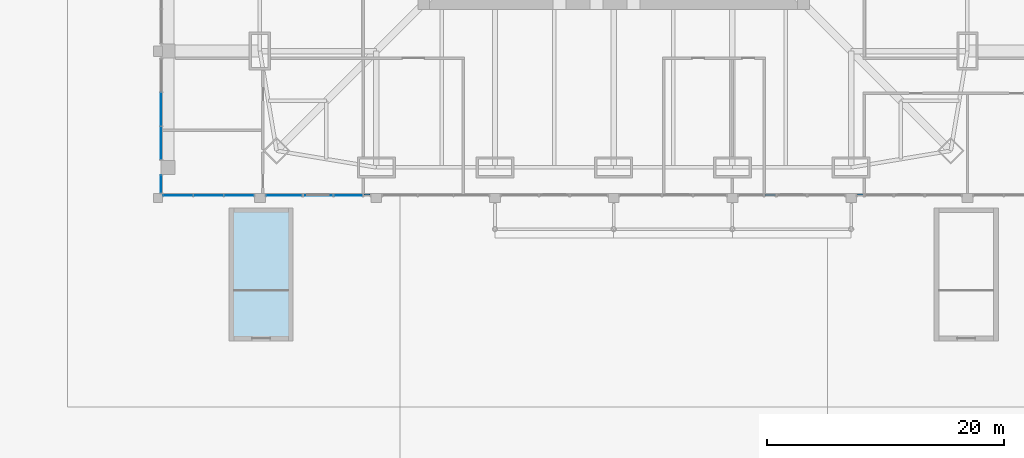
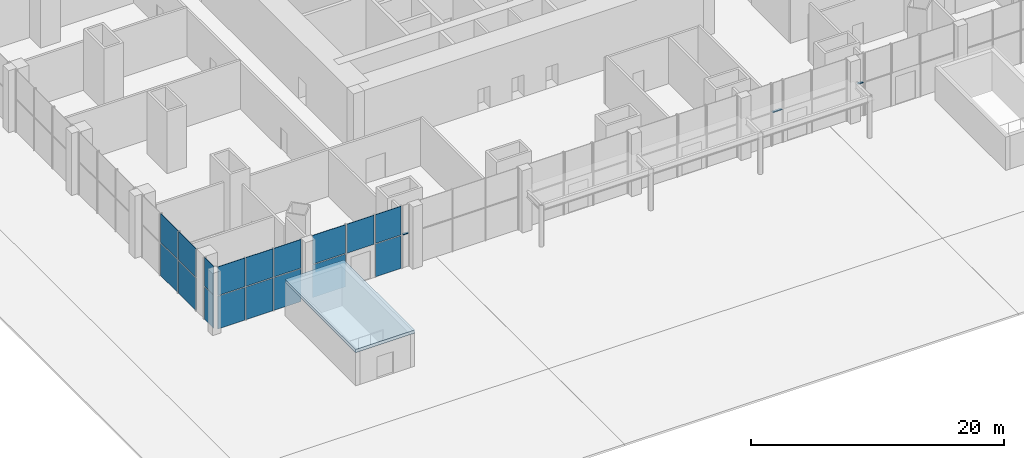
# One storey, part 16 of 31: 17 plates, 3 members, 1 slab, 9 elements without a shape of their own.
"""IFC4 building model written with IfcOpenShell, lengths in metres."""

import ifcopenshell
import ifcopenshell.guid

model = None  # the IFC model being written
_history = None  # IfcOwnerHistory: only IFC2X3 demands one
_inside = {}  # id of a spatial element -> (the spatial element, [elements in it])
_under = {}  # id of a project, library or spatial element -> (it, [spatial elements below it])
_declared = {}  # id of a project -> (the project, [libraries it declares])
_typed = {}  # id of a type object -> (the type object, [elements of that type])
_made_of = {}  # id of a material, layer set ... -> (it, [elements and type objects made of it])


def new_model(schema):
    """Start an empty IFC model of exactly this schema.

    Asked for "IFC4X3", IfcOpenShell would pick the latest addendum, in which some entities
    have other attributes; the version numbers below select the first issue.
    IFC2X3 requires an IfcOwnerHistory on every rooted entity: one is made here for all.
    """
    global model, _history
    if schema == "IFC4X3":
        model = ifcopenshell.file(schema_version=(4, 3, 0, 0))
    else:
        model = ifcopenshell.file(schema=schema)
    _inside.clear()
    _under.clear()
    _declared.clear()
    _typed.clear()
    _made_of.clear()
    _history = None
    if model.schema == "IFC2X3":
        org = make("IfcOrganization", Name="unknown")
        user = make(
            "IfcPersonAndOrganization",
            ThePerson=make("IfcPerson", FamilyName="unknown"),
            TheOrganization=org,
        )
        app = make(
            "IfcApplication",
            ApplicationDeveloper=org,
            Version="unknown",
            ApplicationFullName="unknown",
            ApplicationIdentifier="unknown",
        )
        _history = make(
            "IfcOwnerHistory",
            OwningUser=user,
            OwningApplication=app,
            ChangeAction="ADDED",
            CreationDate=0,
        )
    return model


def make(cls, **values):
    """One entity of the class cls with the attributes given. An attribute that is None is left unset."""
    return model.create_entity(
        cls, **{name: value for name, value in values.items() if value is not None}
    )


def rooted(cls, **values):
    """An entity with a GlobalId (a new one), such as an element, a storey or a relation."""
    return make(cls, GlobalId=ifcopenshell.guid.new(), OwnerHistory=_history, **values)


def si_unit(unit_type, name, prefix=None):
    """IfcSIUnit, for example si_unit("LENGTHUNIT", "METRE", prefix="MILLI")."""
    return make("IfcSIUnit", UnitType=unit_type, Prefix=prefix, Name=name)


def assignment(units):
    """IfcUnitAssignment: the units of a project."""
    return None if units is None else make("IfcUnitAssignment", Units=units)


def point(xyz):
    """IfcCartesianPoint."""
    return None if xyz is None else make("IfcCartesianPoint", Coordinates=xyz)


def direction(xyz):
    """IfcDirection."""
    return None if xyz is None else make("IfcDirection", DirectionRatios=xyz)


def frame(location, z_axis=None, x_axis=None):
    """IfcAxis2Placement3D, a coordinate frame: its origin and axes. An axis left out is left unset."""
    return make(
        "IfcAxis2Placement3D",
        Location=point(location),
        Axis=direction(z_axis),
        RefDirection=direction(x_axis),
    )


def frame_2d(location, x_axis=None):
    """IfcAxis2Placement2D, a coordinate frame in the plane: its origin and x axis."""
    return make(
        "IfcAxis2Placement2D", Location=point(location), RefDirection=direction(x_axis)
    )


def origin():
    """The frame at (0, 0, 0) with its axes left unset."""
    return frame((0.0, 0.0, 0.0))


def origin_2d():
    """The frame at (0, 0) in the plane with its x axis left unset."""
    return frame_2d((0.0, 0.0))


def place(relative_to, where):
    """IfcLocalPlacement: puts the frame where relative to a parent placement (None: the world)."""
    return make(
        "IfcLocalPlacement", PlacementRelTo=relative_to, RelativePlacement=where
    )


def context(
    kind, dimensions, precision=None, world=None, true_north=None, identifier=None
):
    """IfcGeometricRepresentationContext, for example the 3D "Model" context."""
    return make(
        "IfcGeometricRepresentationContext",
        ContextIdentifier=identifier,
        ContextType=kind,
        CoordinateSpaceDimension=dimensions,
        Precision=precision,
        WorldCoordinateSystem=world,
        TrueNorth=true_north,
    )


def subcontext(parent, identifier, kind, view, scale=None):
    """IfcGeometricRepresentationSubContext, for example "Body" below "Model"."""
    return make(
        "IfcGeometricRepresentationSubContext",
        ContextIdentifier=identifier,
        ContextType=kind,
        ParentContext=parent,
        TargetScale=scale,
        TargetView=view,
    )


def project(units=None, contexts=None):
    """IfcProject with its units and contexts."""
    return rooted(
        "IfcProject",
        Name="project",
        RepresentationContexts=contexts,
        UnitsInContext=assignment(units),
    )


def spatial(cls, under=None, at=None, **own):
    """A site, building, storey or space (cls), placed at a placement, below another one or the project."""
    s = rooted(cls, ObjectPlacement=at, **own)
    if under is not None:
        _under.setdefault(under.id(), (under, []))[1].append(s)
    return s


def polyline(points):
    """IfcPolyline through the points."""
    return make("IfcPolyline", Points=[point(p) for p in points])


def profile(cls, at=None, kind="AREA", **sizes):
    """A parametric profile (cls). Its sizes go by their IFC names, for example OverallWidth=200.0."""
    return make(cls, ProfileType=kind, Position=at, **sizes)


def rectangle(**sizes):
    """IfcRectangleProfileDef."""
    return profile("IfcRectangleProfileDef", **sizes)


def outline(outer, holes=None, kind="AREA"):
    """IfcArbitraryClosedProfileDef: a profile drawn as a closed curve; with holes, ...WithVoids."""
    if holes is None:
        return make("IfcArbitraryClosedProfileDef", ProfileType=kind, OuterCurve=outer)
    return make(
        "IfcArbitraryProfileDefWithVoids",
        ProfileType=kind,
        OuterCurve=outer,
        InnerCurves=holes,
    )


def extrude(swept, where, along, depth):
    """IfcExtrudedAreaSolid: the profile swept, set in the frame where, extruded along a direction by depth."""
    return make(
        "IfcExtrudedAreaSolid",
        SweptArea=swept,
        Position=where,
        ExtrudedDirection=direction(along),
        Depth=depth,
    )


def shape(context_of_items, identifier, shape_type, items):
    """IfcShapeRepresentation: the items that make up one representation, for example the "Body"."""
    return make(
        "IfcShapeRepresentation",
        ContextOfItems=context_of_items,
        RepresentationIdentifier=identifier,
        RepresentationType=shape_type,
        Items=items,
    )


def material(Name=None, Category=None):
    """IfcMaterial."""
    return make("IfcMaterial", Name=Name, Category=Category)


def layer(
    of_material, thickness, ventilated=None, Name=None, Category=None, Priority=None
):
    """IfcMaterialLayer: one layer of a wall or slab, of a material (None: an air gap)."""
    return make(
        "IfcMaterialLayer",
        Material=of_material,
        LayerThickness=thickness,
        IsVentilated=ventilated,
        Name=Name,
        Category=Category,
        Priority=Priority,
    )


def layer_set(layers, Name=None):
    """IfcMaterialLayerSet."""
    return make("IfcMaterialLayerSet", MaterialLayers=layers, LayerSetName=Name)


def material_profile(
    of_material, cross_section, Name=None, Category=None, Priority=None
):
    """IfcMaterialProfile: a cross section and its material."""
    return make(
        "IfcMaterialProfile",
        Name=Name,
        Material=of_material,
        Profile=cross_section,
        Priority=Priority,
        Category=Category,
    )


def profile_set(profiles, Name=None, composite=None):
    """IfcMaterialProfileSet."""
    return make(
        "IfcMaterialProfileSet",
        Name=Name,
        MaterialProfiles=profiles,
        CompositeProfile=composite,
    )


def made_of(thing, what):
    """Note that an element or type object is made of a material, layer set ...; save() writes the relation."""
    if what is not None:
        _made_of.setdefault(what.id(), (what, []))[1].append(thing)
    return thing


def type_object(cls, material=None, **own):
    """A type object (cls), such as IfcWallType, which elements share."""
    return made_of(rooted(cls, **own), material)


def element(
    cls,
    number,
    at=None,
    inside=None,
    cuts=None,
    type_object=None,
    material=None,
    context=None,
    identifier="Body",
    shape_type=None,
    held_by="IfcProductDefinitionShape",
    body=None,
    shapes=None,
    **own,
):
    """One element of the class cls, such as IfcWall. Its Tag is "e" and its number.

    at: its placement. inside: the storey or other place that contains it. cuts: it is an
    opening in that element (IfcRelVoidsElement). A single representation is given by context,
    identifier, shape_type and body (its items); several are given by shapes. held_by: the class
    of the entity that holds the representations. save() writes the other relations.
    """
    e = rooted(cls, Tag="e%d" % number, ObjectPlacement=at, **own)
    if body is not None:
        shapes = [shape(context, identifier, shape_type, body)]
    if shapes is not None:
        e.Representation = make(held_by, Representations=shapes)
    if inside is not None:
        _inside.setdefault(inside.id(), (inside, []))[1].append(e)
    if cuts is not None:
        rooted(
            "IfcRelVoidsElement", RelatingBuildingElement=cuts, RelatedOpeningElement=e
        )
    if type_object is not None:
        _typed.setdefault(type_object.id(), (type_object, []))[1].append(e)
    return made_of(e, material)


def aggregate(whole, parts):
    """IfcRelAggregates: a whole, such as a stair, and the parts it consists of."""
    return rooted("IfcRelAggregates", RelatingObject=whole, RelatedObjects=parts)


def save(model, path):
    """Write the relations noted so far, then the file.

    IfcRelAggregates (storeys below a building ...), IfcRelContainedInSpatialStructure (elements
    in a storey), IfcRelDefinesByType, IfcRelAssociatesMaterial and IfcRelDeclares: one each for
    every whole, place, type object, material and project.
    """
    for whole, parts in _under.values():
        aggregate(whole, parts)
    for where, things in _inside.values():
        rooted(
            "IfcRelContainedInSpatialStructure",
            RelatedElements=things,
            RelatingStructure=where,
        )
    for kind, things in _typed.values():
        rooted("IfcRelDefinesByType", RelatedObjects=things, RelatingType=kind)
    for what, things in _made_of.values():
        rooted("IfcRelAssociatesMaterial", RelatedObjects=things, RelatingMaterial=what)
    for by, libraries in _declared.values():
        rooted("IfcRelDeclares", RelatingContext=by, RelatedDefinitions=libraries)
    model.write(path)


model = new_model("IFC4")

# Units and contexts
model_context = context("Model", 3, precision=1e-05, world=origin(), true_north=direction((0.0, 1.0)))
body_context = subcontext(model_context, "Body", "Model", "MODEL_VIEW")
ifc_project = project(units=[si_unit("LENGTHUNIT", "METRE"), si_unit("AREAUNIT", "SQUARE_METRE"), si_unit("VOLUMEUNIT", "CUBIC_METRE"), si_unit("PLANEANGLEUNIT", "RADIAN"), si_unit("MASSUNIT", "GRAM", prefix="KILO")], contexts=[model_context])

# Site, building, storey
site_placement = place(None, origin())
site = spatial("IfcSite", under=ifc_project, at=site_placement, CompositionType="ELEMENT")
building_placement = place(site_placement, origin())
building = spatial("IfcBuilding", under=site, at=building_placement, Name="Khuree Lantern Residences", CompositionType="ELEMENT")
storey_placement = place(building_placement, origin())
storey = spatial("IfcBuildingStorey", under=building, at=storey_placement, Name="L00", CompositionType="ELEMENT", Elevation=0.0)

# Curtain wall, member
ifc_material_1 = material(Name="Bronze anodised aluminium", Category="aluminium")
curtain_wall_type = type_object("IfcCurtainWallType", Name="CW-P PODIUM STOREFRONT CURTAIN WALL", PredefinedType="USERDEFINED", material=ifc_material_1)
curtain_wall_1_placement = place(storey_placement, origin())
curtain_wall_1 = element("IfcCurtainWall", 1, at=curtain_wall_1_placement, inside=storey, type_object=curtain_wall_type, Name="L00 SOUTH FACE BAY 2 RIGHT 2 STOREFRONT", ObjectType="Storefront curtain wall", PredefinedType="USERDEFINED")
ifc_material_profile = material_profile(ifc_material_1, rectangle(XDim=0.199951171875, YDim=0.074951171875, at=origin_2d()), Name="T5 200X75")
ifc_profile_set = profile_set([ifc_material_profile], Name="Bronze anodised aluminium")
member_type = type_object("IfcMemberType", Name="TRANSOM T5 STOREFRONT 200X75", PredefinedType="USERDEFINED", material=ifc_profile_set)
member_1_placement = place(storey_placement, frame((-21.0361328125, -32.1201171875, 3.199951171875), z_axis=(1.0, 0.0, 0.0), x_axis=(0.0, 1.0, 0.0)))
member_1 = element("IfcMember", 2, at=member_1_placement, type_object=member_type, Name="L00 SOUTH FACE BAY 2 RIGHT 2 TRANSOM 1", ObjectType="Transom", PredefinedType="USERDEFINED", context=body_context, shape_type="SweptSolid", body=[
    extrude(rectangle(XDim=0.199951171875, YDim=0.074951171875, at=origin_2d()), origin(), (0.0, 0.0, 1.0), 0.51123046875),
])
aggregate(curtain_wall_1, [member_1])

curtain_wall_2_placement = place(storey_placement, origin())
curtain_wall_2 = element("IfcCurtainWall", 3, at=curtain_wall_2_placement, inside=storey, type_object=curtain_wall_type, Name="L00 SOUTH FACE BAY 6 LEFT 2 STOREFRONT", ObjectType="Storefront curtain wall", PredefinedType="USERDEFINED")
member_2_placement = place(storey_placement, frame((12.74169921875, -32.1201171875, 3.199951171875), z_axis=(1.0, 0.0, 0.0), x_axis=(0.0, 1.0, 0.0)))
member_2 = element("IfcMember", 4, at=member_2_placement, type_object=member_type, Name="L00 SOUTH FACE BAY 6 LEFT 2 TRANSOM 1", ObjectType="Transom", PredefinedType="USERDEFINED", context=body_context, shape_type="SweptSolid", body=[
    extrude(rectangle(XDim=0.199951171875, YDim=0.074951171875, at=origin_2d()), origin(), (0.0, 0.0, 1.0), 0.88330078125),
])
aggregate(curtain_wall_2, [member_2])

curtain_wall_3_placement = place(storey_placement, origin())
curtain_wall_3 = element("IfcCurtainWall", 5, at=curtain_wall_3_placement, inside=storey, type_object=curtain_wall_type, Name="L00 SOUTH FACE BAY 7 LEFT 1 STOREFRONT", ObjectType="Storefront curtain wall", PredefinedType="USERDEFINED")
member_3_placement = place(storey_placement, frame((20.52490234375, -32.1201171875, 3.199951171875), z_axis=(1.0, 0.0, 0.0), x_axis=(0.0, 1.0, 0.0)))
member_3 = element("IfcMember", 6, at=member_3_placement, type_object=member_type, Name="L00 SOUTH FACE BAY 7 LEFT 1 TRANSOM 1", ObjectType="Transom", PredefinedType="USERDEFINED", context=body_context, shape_type="SweptSolid", body=[
    extrude(rectangle(XDim=0.199951171875, YDim=0.074951171875, at=origin_2d()), origin(), (0.0, 0.0, 1.0), 0.51123046875),
])
aggregate(curtain_wall_3, [member_3])

# Slab
ifc_material_2 = material(Name="Concrete C40/50", Category="concrete")
ifc_layer_1 = layer(ifc_material_2, 0.300048828125)
ifc_layer_set_1 = layer_set([ifc_layer_1], Name="KIOSK ROOF KR300")
slab_type = type_object("IfcSlabType", Name="KIOSK ROOF KR300", PredefinedType="ROOF", material=ifc_layer_set_1)
slab_placement = place(storey_placement, frame((0.0, 0.0, 3.199951171875)))
element("IfcSlab", 7, at=slab_placement, inside=storey, type_object=slab_type, Name="Stair ST5 kiosk roof", PredefinedType="ROOF", context=body_context, shape_type="SweptSolid", body=[
    extrude(outline(polyline([(-32.39990234375, -44.39990234375), (-27.0, -44.39990234375), (-27.0, -33.199951171875), (-32.39990234375, -33.199951171875), (-32.39990234375, -44.39990234375)])), origin(), (0.0, 0.0, 1.0), 0.300048828125),
])

# Curtain wall, plates
curtain_wall_4_placement = place(storey_placement, origin())
curtain_wall_4 = element("IfcCurtainWall", 8, at=curtain_wall_4_placement, inside=storey, type_object=curtain_wall_type, Name="L00 SOUTH FACE BAY 1 STOREFRONT", ObjectType="Storefront curtain wall", PredefinedType="USERDEFINED")
ifc_material_3 = material(Name="Bronze tinted laminated triple glazing", Category="glass")
ifc_layer_2 = layer(ifc_material_3, 0.0400390625)
ifc_layer_set_2 = layer_set([ifc_layer_2], Name="STOREFRONT GLASS PANEL P9")
plate_type = type_object("IfcPlateType", Name="STOREFRONT GLASS PANEL P9", PredefinedType="CURTAIN_PANEL", material=ifc_layer_set_2)
plate_1_placement = place(storey_placement, frame((-36.683349609375, -32.14990234375, 0.0), z_axis=(0.0, 0.0, 1.0), x_axis=(1.0, 0.0, 0.0)))
plate_1 = element("IfcPlate", 9, at=plate_1_placement, type_object=plate_type, Name="L00 SOUTH FACE BAY 1 PANEL 1.1", PredefinedType="CURTAIN_PANEL", context=body_context, shape_type="SweptSolid", body=[
    extrude(rectangle(XDim=2.4833984375, YDim=0.0400390625, at=origin_2d()), origin(), (0.0, 0.0, 1.0), 3.16259765625),
])
plate_2_placement = place(storey_placement, frame((-36.683349609375, -32.14990234375, 3.2373046875), z_axis=(0.0, 0.0, 1.0), x_axis=(1.0, 0.0, 0.0)))
plate_2 = element("IfcPlate", 10, at=plate_2_placement, type_object=plate_type, Name="L00 SOUTH FACE BAY 1 PANEL 1.2", PredefinedType="CURTAIN_PANEL", context=body_context, shape_type="SweptSolid", body=[
    extrude(rectangle(XDim=2.4833984375, YDim=0.0400390625, at=origin_2d()), origin(), (0.0, 0.0, 1.0), 2.762451171875),
])
plate_3_placement = place(storey_placement, frame((-34.125, -32.14990234375, 0.0), z_axis=(0.0, 0.0, 1.0), x_axis=(1.0, 0.0, 0.0)))
plate_3 = element("IfcPlate", 11, at=plate_3_placement, type_object=plate_type, Name="L00 SOUTH FACE BAY 1 PANEL 2.1", PredefinedType="CURTAIN_PANEL", context=body_context, shape_type="SweptSolid", body=[
    extrude(rectangle(XDim=2.4833984375, YDim=0.0400390625, at=origin_2d()), origin(), (0.0, 0.0, 1.0), 3.16259765625),
])
plate_4_placement = place(storey_placement, frame((-34.125, -32.14990234375, 3.2373046875), z_axis=(0.0, 0.0, 1.0), x_axis=(1.0, 0.0, 0.0)))
plate_4 = element("IfcPlate", 12, at=plate_4_placement, type_object=plate_type, Name="L00 SOUTH FACE BAY 1 PANEL 2.2", PredefinedType="CURTAIN_PANEL", context=body_context, shape_type="SweptSolid", body=[
    extrude(rectangle(XDim=2.4833984375, YDim=0.0400390625, at=origin_2d()), origin(), (0.0, 0.0, 1.0), 2.762451171875),
])
plate_5_placement = place(storey_placement, frame((-31.566650390625, -32.14990234375, 0.0), z_axis=(0.0, 0.0, 1.0), x_axis=(1.0, 0.0, 0.0)))
plate_5 = element("IfcPlate", 13, at=plate_5_placement, type_object=plate_type, Name="L00 SOUTH FACE BAY 1 PANEL 3.1", PredefinedType="CURTAIN_PANEL", context=body_context, shape_type="SweptSolid", body=[
    extrude(rectangle(XDim=2.4833984375, YDim=0.0400390625, at=origin_2d()), origin(), (0.0, 0.0, 1.0), 3.16259765625),
])
plate_6_placement = place(storey_placement, frame((-31.566650390625, -32.14990234375, 3.2373046875), z_axis=(0.0, 0.0, 1.0), x_axis=(1.0, 0.0, 0.0)))
plate_6 = element("IfcPlate", 14, at=plate_6_placement, type_object=plate_type, Name="L00 SOUTH FACE BAY 1 PANEL 3.2", PredefinedType="CURTAIN_PANEL", context=body_context, shape_type="SweptSolid", body=[
    extrude(rectangle(XDim=2.4833984375, YDim=0.0400390625, at=origin_2d()), origin(), (0.0, 0.0, 1.0), 2.762451171875),
])
aggregate(curtain_wall_4, [plate_1, plate_2, plate_3, plate_4, plate_5, plate_6])

curtain_wall_5_placement = place(storey_placement, origin())
curtain_wall_5 = element("IfcCurtainWall", 15, at=curtain_wall_5_placement, inside=storey, type_object=curtain_wall_type, Name="L00 SOUTH FACE BAY 2 LEFT STOREFRONT", ObjectType="Storefront curtain wall", PredefinedType="USERDEFINED")
plate_7_placement = place(storey_placement, frame((-27.77490234375, -32.14990234375, 0.0), z_axis=(0.0, 0.0, 1.0), x_axis=(1.0, 0.0, 0.0)))
plate_7 = element("IfcPlate", 16, at=plate_7_placement, type_object=plate_type, Name="L00 SOUTH FACE BAY 2 LEFT PANEL 1.1", PredefinedType="CURTAIN_PANEL", context=body_context, shape_type="SweptSolid", body=[
    extrude(rectangle(XDim=3.0, YDim=0.0400390625, at=origin_2d()), origin(), (0.0, 0.0, 1.0), 3.16259765625),
])
plate_8_placement = place(storey_placement, frame((-27.77490234375, -32.14990234375, 3.2373046875), z_axis=(0.0, 0.0, 1.0), x_axis=(1.0, 0.0, 0.0)))
plate_8 = element("IfcPlate", 17, at=plate_8_placement, type_object=plate_type, Name="L00 SOUTH FACE BAY 2 LEFT PANEL 1.2", PredefinedType="CURTAIN_PANEL", context=body_context, shape_type="SweptSolid", body=[
    extrude(rectangle(XDim=3.0, YDim=0.0400390625, at=origin_2d()), origin(), (0.0, 0.0, 1.0), 2.762451171875),
])
aggregate(curtain_wall_5, [plate_7, plate_8])

curtain_wall_6_placement = place(storey_placement, origin())
curtain_wall_6 = element("IfcCurtainWall", 18, at=curtain_wall_6_placement, inside=storey, type_object=curtain_wall_type, Name="L00 SOUTH FACE BAY 2 RIGHT 1 STOREFRONT", ObjectType="Storefront curtain wall", PredefinedType="USERDEFINED")
plate_9_placement = place(storey_placement, frame((-22.35546875, -32.14990234375, 0.0), z_axis=(0.0, 0.0, 1.0), x_axis=(1.0, 0.0, 0.0)))
plate_9 = element("IfcPlate", 19, at=plate_9_placement, type_object=plate_type, Name="L00 SOUTH FACE BAY 2 RIGHT 1 PANEL 1.1", PredefinedType="CURTAIN_PANEL", context=body_context, shape_type="SweptSolid", body=[
    extrude(rectangle(XDim=2.3388671875, YDim=0.0400390625, at=origin_2d()), origin(), (0.0, 0.0, 1.0), 3.16259765625),
])
plate_10_placement = place(storey_placement, frame((-22.35546875, -32.14990234375, 3.2373046875), z_axis=(0.0, 0.0, 1.0), x_axis=(1.0, 0.0, 0.0)))
plate_10 = element("IfcPlate", 20, at=plate_10_placement, type_object=plate_type, Name="L00 SOUTH FACE BAY 2 RIGHT 1 PANEL 1.2", PredefinedType="CURTAIN_PANEL", context=body_context, shape_type="SweptSolid", body=[
    extrude(rectangle(XDim=2.3388671875, YDim=0.0400390625, at=origin_2d()), origin(), (0.0, 0.0, 1.0), 2.762451171875),
])
aggregate(curtain_wall_6, [plate_9, plate_10])

# Curtain wall, plate
curtain_wall_7_placement = place(storey_placement, origin())
curtain_wall_7 = element("IfcCurtainWall", 21, at=curtain_wall_7_placement, inside=storey, type_object=curtain_wall_type, Name="L00 SOUTH FACE BAY 2 CLERESTORY STOREFRONT", ObjectType="Storefront curtain wall", PredefinedType="USERDEFINED")
plate_11_placement = place(storey_placement, frame((-24.89990234375, -32.14990234375, 3.2001953125), z_axis=(0.0, 0.0, 1.0), x_axis=(1.0, 0.0, 0.0)))
plate_11 = element("IfcPlate", 22, at=plate_11_placement, type_object=plate_type, Name="L00 SOUTH FACE BAY 2 CLERESTORY PANEL 1.1", PredefinedType="CURTAIN_PANEL", context=body_context, shape_type="SweptSolid", body=[
    extrude(rectangle(XDim=2.449951171875, YDim=0.0400390625, at=origin_2d()), origin(), (0.0, 0.0, 1.0), 2.800048828125),
])
aggregate(curtain_wall_7, [plate_11])

# Curtain wall, plates
curtain_wall_8_placement = place(storey_placement, origin())
curtain_wall_8 = element("IfcCurtainWall", 23, at=curtain_wall_8_placement, inside=storey, type_object=curtain_wall_type, Name="L00 WEST FACE BAY 8 STOREFRONT", ObjectType="Storefront curtain wall", PredefinedType="USERDEFINED")
plate_12_placement = place(storey_placement, frame((-38.14990234375, -24.89990234375, 0.0), z_axis=(0.0, 0.0, 1.0), x_axis=(0.0, -1.0, 0.0)))
plate_12 = element("IfcPlate", 24, at=plate_12_placement, type_object=plate_type, Name="L00 WEST FACE BAY 8 PANEL 2.1", PredefinedType="CURTAIN_PANEL", context=body_context, shape_type="SweptSolid", body=[
    extrude(rectangle(XDim=2.7666015625, YDim=0.0400390625, at=origin_2d()), origin(), (0.0, 0.0, 1.0), 3.16259765625),
])
plate_13_placement = place(storey_placement, frame((-38.14990234375, -24.89990234375, 3.2373046875), z_axis=(0.0, 0.0, 1.0), x_axis=(0.0, -1.0, 0.0)))
plate_13 = element("IfcPlate", 25, at=plate_13_placement, type_object=plate_type, Name="L00 WEST FACE BAY 8 PANEL 2.2", PredefinedType="CURTAIN_PANEL", context=body_context, shape_type="SweptSolid", body=[
    extrude(rectangle(XDim=2.7666015625, YDim=0.0400390625, at=origin_2d()), origin(), (0.0, 0.0, 1.0), 2.762451171875),
])
plate_14_placement = place(storey_placement, frame((-38.14990234375, -27.74169921875, 0.0), z_axis=(0.0, 0.0, 1.0), x_axis=(0.0, -1.0, 0.0)))
plate_14 = element("IfcPlate", 26, at=plate_14_placement, type_object=plate_type, Name="L00 WEST FACE BAY 8 PANEL 3.1", PredefinedType="CURTAIN_PANEL", context=body_context, shape_type="SweptSolid", body=[
    extrude(rectangle(XDim=2.7666015625, YDim=0.0400390625, at=origin_2d()), origin(), (0.0, 0.0, 1.0), 3.16259765625),
])
plate_15_placement = place(storey_placement, frame((-38.14990234375, -27.74169921875, 3.2373046875), z_axis=(0.0, 0.0, 1.0), x_axis=(0.0, -1.0, 0.0)))
plate_15 = element("IfcPlate", 27, at=plate_15_placement, type_object=plate_type, Name="L00 WEST FACE BAY 8 PANEL 3.2", PredefinedType="CURTAIN_PANEL", context=body_context, shape_type="SweptSolid", body=[
    extrude(rectangle(XDim=2.7666015625, YDim=0.0400390625, at=origin_2d()), origin(), (0.0, 0.0, 1.0), 2.762451171875),
])
aggregate(curtain_wall_8, [plate_12, plate_13, plate_14, plate_15])

curtain_wall_9_placement = place(storey_placement, origin())
curtain_wall_9 = element("IfcCurtainWall", 28, at=curtain_wall_9_placement, inside=storey, type_object=curtain_wall_type, Name="L00 WEST FACE BAY 8B STOREFRONT", ObjectType="Storefront curtain wall", PredefinedType="USERDEFINED")
plate_16_placement = place(storey_placement, frame((-38.14990234375, -31.199951171875, 0.0), z_axis=(0.0, 0.0, 1.0), x_axis=(0.0, -1.0, 0.0)))
plate_16 = element("IfcPlate", 29, at=plate_16_placement, type_object=plate_type, Name="L00 WEST FACE BAY 8B PANEL 1.1", PredefinedType="CURTAIN_PANEL", context=body_context, shape_type="SweptSolid", body=[
    extrude(rectangle(XDim=1.449951171875, YDim=0.0400390625, at=origin_2d()), origin(), (0.0, 0.0, 1.0), 3.16259765625),
])
plate_17_placement = place(storey_placement, frame((-38.14990234375, -31.199951171875, 3.2373046875), z_axis=(0.0, 0.0, 1.0), x_axis=(0.0, -1.0, 0.0)))
plate_17 = element("IfcPlate", 30, at=plate_17_placement, type_object=plate_type, Name="L00 WEST FACE BAY 8B PANEL 1.2", PredefinedType="CURTAIN_PANEL", context=body_context, shape_type="SweptSolid", body=[
    extrude(rectangle(XDim=1.449951171875, YDim=0.0400390625, at=origin_2d()), origin(), (0.0, 0.0, 1.0), 2.762451171875),
])
aggregate(curtain_wall_9, [plate_16, plate_17])

save(model, "model.ifc")
